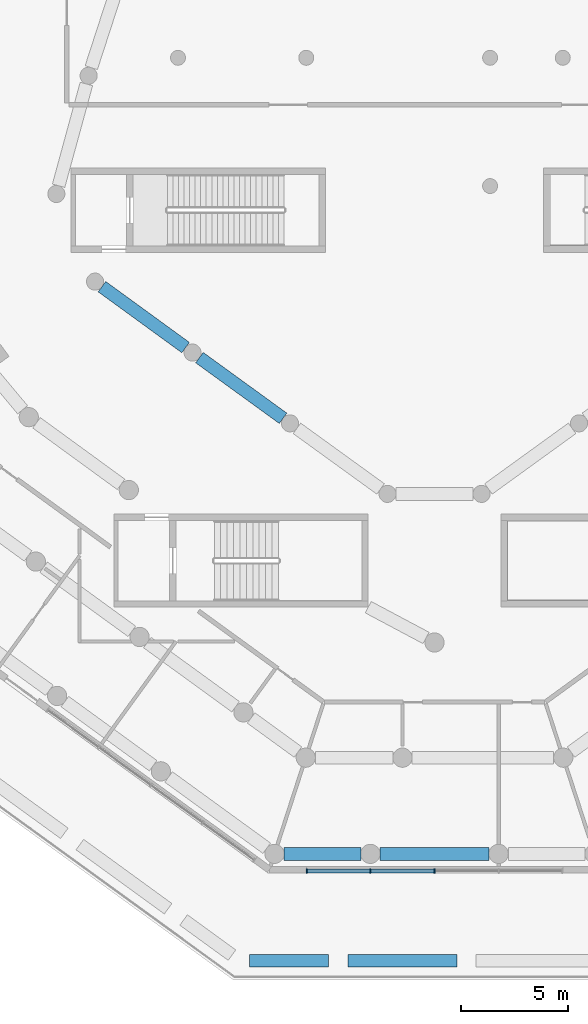
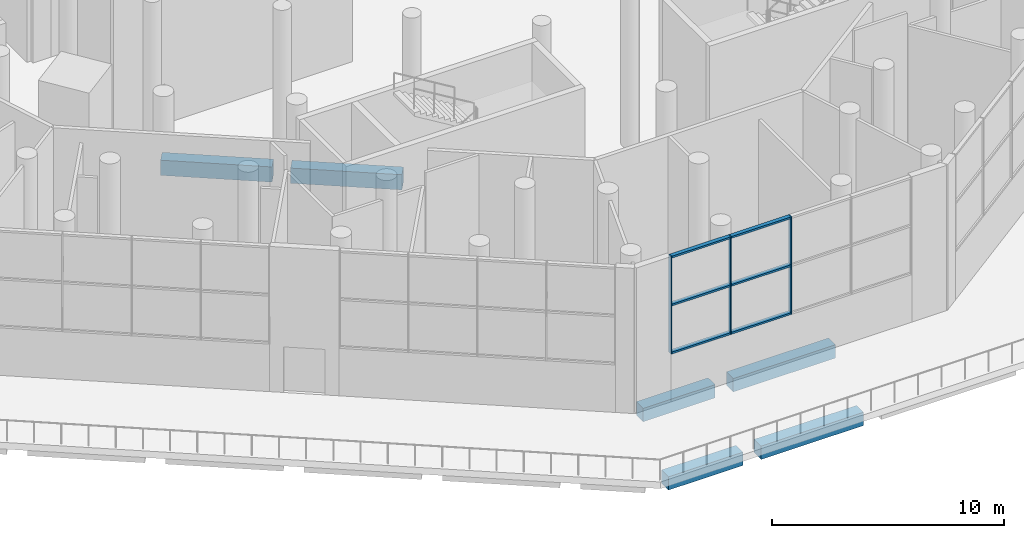
# One storey, part 4 of 23: 9 members, 6 beams, 1 element without a shape of its own.
"""IFC4 building model written with IfcOpenShell, lengths in metres."""

from ifc_helpers import new_model, si_unit, direction, frame, origin, origin_2d, place, context, subcontext, project, spatial, rectangle, extrude, material, material_profile, profile_set, type_object, element, aggregate, save


model = new_model("IFC4")

# Units and contexts
model_context = context("Model", 3, precision=1e-05, world=origin(), true_north=direction((0.0, 1.0)))
body_context = subcontext(model_context, "Body", "Model", "MODEL_VIEW")
ifc_project = project(units=[si_unit("LENGTHUNIT", "METRE"), si_unit("AREAUNIT", "SQUARE_METRE"), si_unit("VOLUMEUNIT", "CUBIC_METRE"), si_unit("PLANEANGLEUNIT", "RADIAN"), si_unit("MASSUNIT", "GRAM", prefix="KILO")], contexts=[model_context])

# Site, building, storey
site_placement = place(None, origin())
site = spatial("IfcSite", under=ifc_project, at=site_placement, CompositionType="ELEMENT")
building_placement = place(site_placement, origin())
building = spatial("IfcBuilding", under=site, at=building_placement, Name="White Candle Pilgrim Tower", CompositionType="ELEMENT")
storey_placement = place(building_placement, frame((0.0, 0.0, 15.0)))
storey = spatial("IfcBuildingStorey", under=building, at=storey_placement, Name="L02", CompositionType="ELEMENT", Elevation=15.0)

# Curtain wall, members
ifc_material_1 = material(Name="Aluminium and glass", Category="aluminium")
curtain_wall_type = type_object("IfcCurtainWallType", Name="Curtain wall CW2 prayer hall clerestory", PredefinedType="NOTDEFINED", material=ifc_material_1)
curtain_wall_placement = place(storey_placement, origin())
curtain_wall = element("IfcCurtainWall", 1, at=curtain_wall_placement, inside=storey, type_object=curtain_wall_type, Name="Curtain wall CW2 L02 S chamfer", PredefinedType="NOTDEFINED")
ifc_material_2 = material(Name="Aluminium", Category="aluminium")
ifc_material_profile_1 = material_profile(ifc_material_2, rectangle(XDim=0.199951171875, YDim=0.050048828125, at=origin_2d()), Name="CW2 mullion 50x200")
ifc_profile_set_1 = profile_set([ifc_material_profile_1], Name="Aluminium")
member_type_1 = type_object("IfcMemberType", Name="CW2 mullion 50x200", PredefinedType="MULLION", material=ifc_profile_set_1)
member_1_placement = place(storey_placement, frame((64.02490234375, 28.961181640625, 2.5), z_axis=(0.0, 0.0, 1.0), x_axis=(0.0, 1.0, 0.0)))
member_1 = element("IfcMember", 2, at=member_1_placement, type_object=member_type_1, Name="CW2 mullion 1", PredefinedType="MULLION", context=body_context, shape_type="SweptSolid", body=[
    extrude(rectangle(XDim=0.199951171875, YDim=0.050048828125, at=origin_2d()), origin(), (0.0, 0.0, 1.0), 5.14990234375),
])
member_2_placement = place(storey_placement, frame((67.0, 28.961181640625, 2.5), z_axis=(0.0, 0.0, 1.0), x_axis=(0.0, 1.0, 0.0)))
member_2 = element("IfcMember", 3, at=member_2_placement, type_object=member_type_1, Name="CW2 mullion 2", PredefinedType="MULLION", context=body_context, shape_type="SweptSolid", body=[
    extrude(rectangle(XDim=0.199951171875, YDim=0.050048828125, at=origin_2d()), origin(), (0.0, 0.0, 1.0), 5.14990234375),
])
member_3_placement = place(storey_placement, frame((70.0, 28.961181640625, 2.5), z_axis=(0.0, 0.0, 1.0), x_axis=(0.0, 1.0, 0.0)))
member_3 = element("IfcMember", 4, at=member_3_placement, type_object=member_type_1, Name="CW2 mullion 3", PredefinedType="MULLION", context=body_context, shape_type="SweptSolid", body=[
    extrude(rectangle(XDim=0.199951171875, YDim=0.050048828125, at=origin_2d()), origin(), (0.0, 0.0, 1.0), 5.14990234375),
])
ifc_material_profile_2 = material_profile(ifc_material_2, rectangle(XDim=0.199951171875, YDim=0.10009765625, at=origin_2d()), Name="CW2 transom 100x200")
ifc_profile_set_2 = profile_set([ifc_material_profile_2], Name="Aluminium")
member_type_2 = type_object("IfcMemberType", Name="CW2 transom 100x200", PredefinedType="USERDEFINED", material=ifc_profile_set_2)
member_4_placement = place(storey_placement, frame((64.050048828125, 28.961181640625, 2.550048828125), z_axis=(1.0, 0.0, 0.0), x_axis=(0.0, 1.0, 0.0)))
member_4 = element("IfcMember", 5, at=member_4_placement, type_object=member_type_2, Name="CW2 transom 1.1", ObjectType="TRANSOM", PredefinedType="USERDEFINED", context=body_context, shape_type="SweptSolid", body=[
    extrude(rectangle(XDim=0.199951171875, YDim=0.10009765625, at=origin_2d()), origin(), (0.0, 0.0, 1.0), 2.925048828125),
])
member_5_placement = place(storey_placement, frame((64.050048828125, 28.961181640625, 5.074951171875), z_axis=(1.0, 0.0, 0.0), x_axis=(0.0, 1.0, 0.0)))
member_5 = element("IfcMember", 6, at=member_5_placement, type_object=member_type_2, Name="CW2 transom 1.2", ObjectType="TRANSOM", PredefinedType="USERDEFINED", context=body_context, shape_type="SweptSolid", body=[
    extrude(rectangle(XDim=0.199951171875, YDim=0.10009765625, at=origin_2d()), origin(), (0.0, 0.0, 1.0), 2.925048828125),
])
member_6_placement = place(storey_placement, frame((64.050048828125, 28.961181640625, 7.60009765625), z_axis=(1.0, 0.0, 0.0), x_axis=(0.0, 1.0, 0.0)))
member_6 = element("IfcMember", 7, at=member_6_placement, type_object=member_type_2, Name="CW2 transom 1.3", ObjectType="TRANSOM", PredefinedType="USERDEFINED", context=body_context, shape_type="SweptSolid", body=[
    extrude(rectangle(XDim=0.199951171875, YDim=0.10009765625, at=origin_2d()), origin(), (0.0, 0.0, 1.0), 2.925048828125),
])
member_7_placement = place(storey_placement, frame((67.02490234375, 28.961181640625, 2.550048828125), z_axis=(1.0, 0.0, 0.0), x_axis=(0.0, 1.0, 0.0)))
member_7 = element("IfcMember", 8, at=member_7_placement, type_object=member_type_2, Name="CW2 transom 2.1", ObjectType="TRANSOM", PredefinedType="USERDEFINED", context=body_context, shape_type="SweptSolid", body=[
    extrude(rectangle(XDim=0.199951171875, YDim=0.10009765625, at=origin_2d()), origin(), (0.0, 0.0, 1.0), 2.9501953125),
])
member_8_placement = place(storey_placement, frame((67.02490234375, 28.961181640625, 5.074951171875), z_axis=(1.0, 0.0, 0.0), x_axis=(0.0, 1.0, 0.0)))
member_8 = element("IfcMember", 9, at=member_8_placement, type_object=member_type_2, Name="CW2 transom 2.2", ObjectType="TRANSOM", PredefinedType="USERDEFINED", context=body_context, shape_type="SweptSolid", body=[
    extrude(rectangle(XDim=0.199951171875, YDim=0.10009765625, at=origin_2d()), origin(), (0.0, 0.0, 1.0), 2.9501953125),
])
member_9_placement = place(storey_placement, frame((67.02490234375, 28.961181640625, 7.60009765625), z_axis=(1.0, 0.0, 0.0), x_axis=(0.0, 1.0, 0.0)))
member_9 = element("IfcMember", 10, at=member_9_placement, type_object=member_type_2, Name="CW2 transom 2.3", ObjectType="TRANSOM", PredefinedType="USERDEFINED", context=body_context, shape_type="SweptSolid", body=[
    extrude(rectangle(XDim=0.199951171875, YDim=0.10009765625, at=origin_2d()), origin(), (0.0, 0.0, 1.0), 2.9501953125),
])
aggregate(curtain_wall, [member_1, member_2, member_3, member_4, member_5, member_6, member_7, member_8, member_9])

# Beams
ifc_material_3 = material(Name="Concrete C50/60", Category="concrete")
ifc_material_profile_3 = material_profile(ifc_material_3, rectangle(XDim=0.60009765625, YDim=0.800048828125, at=origin_2d()), Name="RC-BM 600x800")
ifc_profile_set_3 = profile_set([ifc_material_profile_3], Name="Concrete C50/60")
beam_type_1 = type_object("IfcBeamType", Name="Ring beam RC-BM 600x800 C50/60", PredefinedType="BEAM", material=ifc_profile_set_3)
beam_1_placement = place(storey_placement, frame((54.443115234375, 56.294677734375, -0.75), z_axis=(0.808428473545, -0.588594430115, 0.0), x_axis=(0.588594430115, 0.808428473545, 0.0)))
element("IfcBeam", 11, at=beam_1_placement, inside=storey, type_object=beam_type_1, Name="L02 ring beam R01", PredefinedType="BEAM", context=body_context, shape_type="SweptSolid", body=[
    extrude(rectangle(XDim=0.60009765625, YDim=0.800048828125, at=origin_2d()), origin(), (0.0, 0.0, 1.0), 4.841064453125),
])
beam_2_placement = place(storey_placement, frame((59.00341796875, 52.97509765625, -0.75), z_axis=(0.809305595912, -0.587387821141, 0.0), x_axis=(0.587387821141, 0.809305595912, 0.0)))
element("IfcBeam", 12, at=beam_2_placement, inside=storey, type_object=beam_type_1, Name="L02 ring beam R02", PredefinedType="BEAM", context=body_context, shape_type="SweptSolid", body=[
    extrude(rectangle(XDim=0.60009765625, YDim=0.800048828125, at=origin_2d()), origin(), (0.0, 0.0, 1.0), 4.835205078125),
])
ifc_material_profile_4 = material_profile(ifc_material_3, rectangle(XDim=0.60009765625, YDim=0.699951171875, at=origin_2d()), Name="RC-BM 600x700")
ifc_profile_set_4 = profile_set([ifc_material_profile_4], Name="Concrete C50/60")
beam_type_2 = type_object("IfcBeamType", Name="Spandrel beam RC-BM 600x700 C50/60", PredefinedType="BEAM", material=ifc_profile_set_4)
beam_3_placement = place(storey_placement, frame((61.339111328125, 24.760986328125, -0.699951171875), z_axis=(1.0, 0.0, 0.0), x_axis=(0.0, 1.0, 0.0)))
element("IfcBeam", 13, at=beam_3_placement, inside=storey, type_object=beam_type_2, Name="L02 spandrel beam A10", PredefinedType="BEAM", context=body_context, shape_type="SweptSolid", body=[
    extrude(rectangle(XDim=0.60009765625, YDim=0.699951171875, at=origin_2d()), origin(), (0.0, 0.0, 1.0), 3.7109375),
])
beam_4_placement = place(storey_placement, frame((65.949951171875, 24.760986328125, -0.699951171875), z_axis=(1.0, 0.0, 0.0), x_axis=(0.0, 1.0, 0.0)))
element("IfcBeam", 14, at=beam_4_placement, inside=storey, type_object=beam_type_2, Name="L02 spandrel beam A11", PredefinedType="BEAM", context=body_context, shape_type="SweptSolid", body=[
    extrude(rectangle(XDim=0.60009765625, YDim=0.699951171875, at=origin_2d()), origin(), (0.0, 0.0, 1.0), 5.10009765625),
])
beam_5_placement = place(storey_placement, frame((62.964111328125, 29.760986328125, -0.699951171875), z_axis=(1.0, 0.0, 0.0), x_axis=(0.0, 1.0, 0.0)))
element("IfcBeam", 15, at=beam_5_placement, inside=storey, type_object=beam_type_2, Name="L02 spandrel beam B08", PredefinedType="BEAM", context=body_context, shape_type="SweptSolid", body=[
    extrude(rectangle(XDim=0.60009765625, YDim=0.699951171875, at=origin_2d()), origin(), (0.0, 0.0, 1.0), 3.5859375),
])
beam_6_placement = place(storey_placement, frame((67.449951171875, 29.760986328125, -0.699951171875), z_axis=(1.0, 0.0, 0.0), x_axis=(0.0, 1.0, 0.0)))
element("IfcBeam", 16, at=beam_6_placement, inside=storey, type_object=beam_type_2, Name="L02 spandrel beam B09", PredefinedType="BEAM", context=body_context, shape_type="SweptSolid", body=[
    extrude(rectangle(XDim=0.60009765625, YDim=0.699951171875, at=origin_2d()), origin(), (0.0, 0.0, 1.0), 5.10009765625),
])

save(model, "model.ifc")
